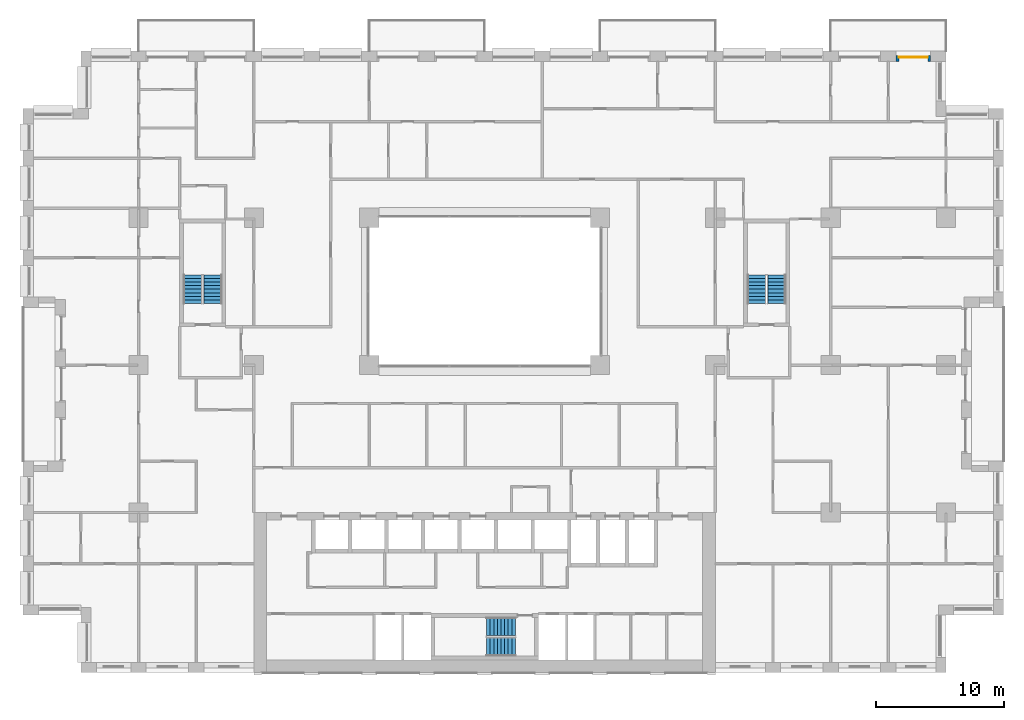
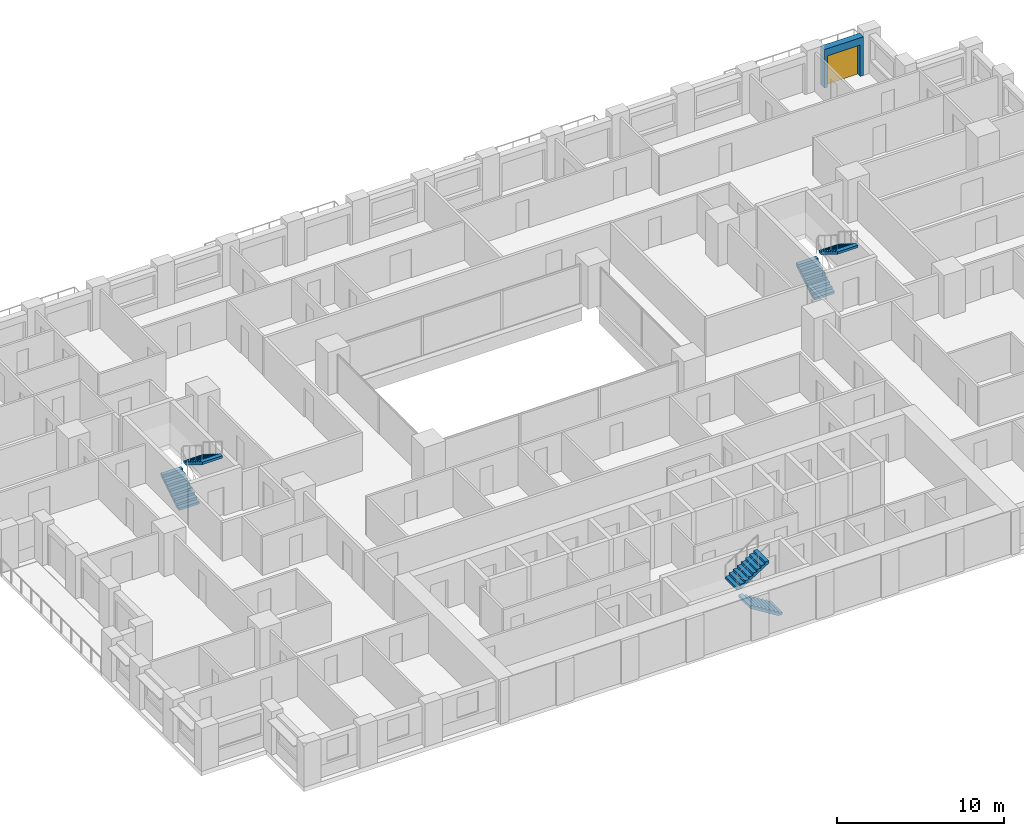
# One storey, part 18 of 20: 6 stair flights, 1 door, 1 wall, 1 opening, 3 elements without a shape of their own.
"""IFC4 building model written with IfcOpenShell, lengths in metres."""

from ifc_helpers import new_model, si_unit, direction, frame, frame_2d, origin, place, context, subcontext, project, spatial, polyline, rectangle, outline, extrude, material, layer, layer_set, type_object, element, fill, aggregate, save


model = new_model("IFC4")

# Units and contexts
model_context = context("Model", 3, precision=1e-05, world=origin(), true_north=direction((0.0, 1.0)))
body_context = subcontext(model_context, "Body", "Model", "MODEL_VIEW")
ifc_project = project(units=[si_unit("LENGTHUNIT", "METRE"), si_unit("AREAUNIT", "SQUARE_METRE"), si_unit("VOLUMEUNIT", "CUBIC_METRE"), si_unit("PLANEANGLEUNIT", "RADIAN"), si_unit("MASSUNIT", "GRAM", prefix="KILO")], contexts=[model_context])

# Site, building, storey
site_placement = place(None, origin())
site = spatial("IfcSite", under=ifc_project, at=site_placement, CompositionType="ELEMENT")
building_placement = place(site_placement, origin())
building = spatial("IfcBuilding", under=site, at=building_placement, Name="Brigalow Station Residences", CompositionType="ELEMENT")
storey_placement = place(building_placement, frame((0.0, 0.0, 60.449951171875)))
storey = spatial("IfcBuildingStorey", under=building, at=storey_placement, Name="L17", CompositionType="ELEMENT", Elevation=60.449951171875)

# Wall, opening, door
ifc_material_1 = material(Name="Clay brick masonry", Category="masonry")
ifc_layer = layer(ifc_material_1, 0.449951171875)
ifc_layer_set = layer_set([ifc_layer], Name="BRICK INFILL WALL 450")
wall_type = type_object("IfcWallType", Name="BRICK INFILL WALL 450", PredefinedType="SOLIDWALL", material=ifc_layer_set)
wall_placement = place(storey_placement, frame((70.800048828125, 47.925048828125, 0.0), z_axis=(0.0, 0.0, 1.0), x_axis=(-1.0, 0.0, 0.0)))
wall = element("IfcWall", 1, at=wall_placement, inside=storey, type_object=wall_type, Name="L17/ewall/W-L17-25", PredefinedType="SOLIDWALL", context=body_context, shape_type="SweptSolid", body=[
    extrude(rectangle(XDim=2.699951171875, YDim=0.449951171875, at=frame_2d((1.35009765625, 0.0))), origin(), (0.0, 0.0, 1.0), 2.830078125),
])
opening_placement = place(wall_placement, frame((0.22509765625, 0.0, 0.0)))
opening = element("IfcOpeningElement", 2, at=opening_placement, cuts=wall, Name="Opening D-B2250", PredefinedType="OPENING", context=body_context, shape_type="SweptSolid", body=[
    extrude(rectangle(XDim=2.25, YDim=2.300048828125, at=frame_2d((1.125, 1.14990234375))), frame((0.0, 0.23486328125, 0.0), z_axis=(0.0, -1.0, 0.0), x_axis=(1.0, 0.0, 0.0)), (0.0, 0.0, 1.0), 0.469970703125),
])
ifc_material_2 = material(Name="Anodised aluminium frame with double glazing", Category="aluminium")
door_type = type_object("IfcDoorType", Name="BALCONY SLIDING DOOR 2250x2300", OperationType="SLIDING_TO_LEFT", PredefinedType="DOOR", material=ifc_material_2)
door_placement = place(opening_placement, origin())
door = element("IfcDoor", 3, at=door_placement, inside=storey, type_object=door_type, Name="L17/balcony-door/W-L17-25", OperationType="SLIDING_TO_LEFT", OverallHeight=2.300048828125, OverallWidth=2.25, PredefinedType="DOOR", context=body_context, shape_type="SweptSolid", body=[
    extrude(rectangle(XDim=2.25, YDim=2.300048828125, at=frame_2d((1.125, 1.14990234375))), frame((0.0, -0.06982421875, 0.0), z_axis=(0.0, -1.0, 0.0), x_axis=(1.0, 0.0, 0.0)), (0.0, 0.0, 1.0), 0.050048828125),
])
fill(opening, door)

# Stair, stair flights
ifc_material_3 = material(Name="Concrete C50", Category="concrete")
stair_type = type_object("IfcStairType", Name="EXIT STAIR 1400 2 FLIGHT", PredefinedType="HALF_TURN_STAIR", material=ifc_material_3)
stair_1_placement = place(storey_placement, origin())
stair_1 = element("IfcStair", 4, at=stair_1_placement, inside=storey, type_object=stair_type, Name="EXIT STAIR S2 L17", PredefinedType="HALF_TURN_STAIR")
ifc_material_4 = material(Name="Concrete C50", Category="concrete")
stair_flight_type = type_object("IfcStairFlightType", Name="STAIR FLIGHT 1400", PredefinedType="STRAIGHT", material=ifc_material_4)
stair_flight_1_placement = place(storey_placement, frame((38.39990234375, 2.0, 0.0), z_axis=(0.0, 0.0, 1.0), x_axis=(-1.0, 0.0, 0.0)))
stair_flight_1 = element("IfcStairFlight", 5, at=stair_flight_1_placement, type_object=stair_flight_type, Name="ST-2 flight 1", NumberOfRisers=9, NumberOfTreads=8, PredefinedType="STRAIGHT", RiserHeight=0.175, TreadLength=0.28, context=body_context, shape_type="SweptSolid", body=[
    extrude(outline(polyline([(0.0, 0.0), (0.0, 0.175048828125), (0.280029296875, 0.175048828125), (0.280029296875, 0.35009765625), (0.56005859375, 0.35009765625), (0.56005859375, 0.52490234375), (0.840087890625, 0.52490234375), (0.840087890625, 0.699951171875), (1.1201171875, 0.699951171875), (1.1201171875, 0.875), (1.39990234375, 0.875), (1.39990234375, 1.050048828125), (1.679931640625, 1.050048828125), (1.679931640625, 1.22509765625), (1.9599609375, 1.22509765625), (1.9599609375, 1.39990234375), (2.239990234375, 1.39990234375), (2.239990234375, 1.574951171875), (2.239990234375, 1.22314453125), (0.28271484375, 0.0), (0.0, 0.0)])), frame((0.0, 0.699951171875, 0.0), z_axis=(0.0, -1.0, 0.0), x_axis=(1.0, 0.0, 0.0)), (0.0, 0.0, 1.0), 1.39990234375),
])
stair_flight_2_placement = place(storey_placement, frame((36.159912109375, 3.60009765625, 1.574951171875), z_axis=(0.0, 0.0, 1.0), x_axis=(1.0, 0.0, 0.0)))
stair_flight_2 = element("IfcStairFlight", 6, at=stair_flight_2_placement, type_object=stair_flight_type, Name="ST-2 flight 2", NumberOfRisers=9, NumberOfTreads=8, PredefinedType="STRAIGHT", RiserHeight=0.175, TreadLength=0.28, context=body_context, shape_type="SweptSolid", body=[
    extrude(outline(polyline([(0.0, 0.0), (0.0, 0.175048828125), (0.280029296875, 0.175048828125), (0.280029296875, 0.35009765625), (0.56005859375, 0.35009765625), (0.56005859375, 0.52490234375), (0.840087890625, 0.52490234375), (0.840087890625, 0.699951171875), (1.1201171875, 0.699951171875), (1.1201171875, 0.875), (1.39990234375, 0.875), (1.39990234375, 1.050048828125), (1.679931640625, 1.050048828125), (1.679931640625, 1.22509765625), (1.9599609375, 1.22509765625), (1.9599609375, 1.39990234375), (2.239990234375, 1.39990234375), (2.239990234375, 1.574951171875), (2.239990234375, 1.22314453125), (0.28271484375, 0.0), (0.0, 0.0)])), frame((0.0, 0.699951171875, 0.0), z_axis=(0.0, -1.0, 0.0), x_axis=(1.0, 0.0, 0.0)), (0.0, 0.0, 1.0), 1.39990234375),
])
aggregate(stair_1, [stair_flight_1, stair_flight_2])

stair_2_placement = place(storey_placement, origin())
stair_2 = element("IfcStair", 7, at=stair_2_placement, inside=storey, type_object=stair_type, Name="EXIT STAIR S1 L17", PredefinedType="HALF_TURN_STAIR")
stair_flight_3_placement = place(storey_placement, frame((13.199951171875, 28.800048828125, 0.0), z_axis=(0.0, 0.0, 1.0), x_axis=(0.0, 1.0, 0.0)))
stair_flight_3 = element("IfcStairFlight", 8, at=stair_flight_3_placement, type_object=stair_flight_type, Name="ST-1 flight 1", NumberOfRisers=9, NumberOfTreads=8, PredefinedType="STRAIGHT", RiserHeight=0.175, TreadLength=0.28, context=body_context, shape_type="SweptSolid", body=[
    extrude(outline(polyline([(0.0, 0.0), (0.0, 0.175048828125), (0.280029296875, 0.175048828125), (0.280029296875, 0.35009765625), (0.56005859375, 0.35009765625), (0.56005859375, 0.52490234375), (0.840087890625, 0.52490234375), (0.840087890625, 0.699951171875), (1.1201171875, 0.699951171875), (1.1201171875, 0.875), (1.39990234375, 0.875), (1.39990234375, 1.050048828125), (1.679931640625, 1.050048828125), (1.679931640625, 1.22509765625), (1.9599609375, 1.22509765625), (1.9599609375, 1.39990234375), (2.239990234375, 1.39990234375), (2.239990234375, 1.574951171875), (2.239990234375, 1.22314453125), (0.28271484375, 0.0), (0.0, 0.0)])), frame((0.0, 0.699951171875, 0.0), z_axis=(0.0, -1.0, 0.0), x_axis=(1.0, 0.0, 0.0)), (0.0, 0.0, 1.0), 1.39990234375),
])
stair_flight_4_placement = place(storey_placement, frame((14.800048828125, 31.0400390625, 1.574951171875), z_axis=(0.0, 0.0, 1.0), x_axis=(0.0, -1.0, 0.0)))
stair_flight_4 = element("IfcStairFlight", 9, at=stair_flight_4_placement, type_object=stair_flight_type, Name="ST-1 flight 2", NumberOfRisers=9, NumberOfTreads=8, PredefinedType="STRAIGHT", RiserHeight=0.175, TreadLength=0.28, context=body_context, shape_type="SweptSolid", body=[
    extrude(outline(polyline([(0.0, 0.0), (0.0, 0.175048828125), (0.280029296875, 0.175048828125), (0.280029296875, 0.35009765625), (0.56005859375, 0.35009765625), (0.56005859375, 0.52490234375), (0.840087890625, 0.52490234375), (0.840087890625, 0.699951171875), (1.1201171875, 0.699951171875), (1.1201171875, 0.875), (1.39990234375, 0.875), (1.39990234375, 1.050048828125), (1.679931640625, 1.050048828125), (1.679931640625, 1.22509765625), (1.9599609375, 1.22509765625), (1.9599609375, 1.39990234375), (2.239990234375, 1.39990234375), (2.239990234375, 1.574951171875), (2.239990234375, 1.22314453125), (0.28271484375, 0.0), (0.0, 0.0)])), frame((0.0, 0.699951171875, 0.0), z_axis=(0.0, -1.0, 0.0), x_axis=(1.0, 0.0, 0.0)), (0.0, 0.0, 1.0), 1.39990234375),
])
aggregate(stair_2, [stair_flight_3, stair_flight_4])

stair_3_placement = place(storey_placement, origin())
stair_3 = element("IfcStair", 10, at=stair_3_placement, inside=storey, type_object=stair_type, Name="EXIT STAIR S3 L17", PredefinedType="HALF_TURN_STAIR")
stair_flight_5_placement = place(storey_placement, frame((57.199951171875, 28.800048828125, 0.0), z_axis=(0.0, 0.0, 1.0), x_axis=(0.0, 1.0, 0.0)))
stair_flight_5 = element("IfcStairFlight", 11, at=stair_flight_5_placement, type_object=stair_flight_type, Name="ST-3 flight 1", NumberOfRisers=9, NumberOfTreads=8, PredefinedType="STRAIGHT", RiserHeight=0.175, TreadLength=0.28, context=body_context, shape_type="SweptSolid", body=[
    extrude(outline(polyline([(0.0, 0.0), (0.0, 0.175048828125), (0.280029296875, 0.175048828125), (0.280029296875, 0.35009765625), (0.56005859375, 0.35009765625), (0.56005859375, 0.52490234375), (0.840087890625, 0.52490234375), (0.840087890625, 0.699951171875), (1.1201171875, 0.699951171875), (1.1201171875, 0.875), (1.39990234375, 0.875), (1.39990234375, 1.050048828125), (1.679931640625, 1.050048828125), (1.679931640625, 1.22509765625), (1.9599609375, 1.22509765625), (1.9599609375, 1.39990234375), (2.239990234375, 1.39990234375), (2.239990234375, 1.574951171875), (2.239990234375, 1.22314453125), (0.28271484375, 0.0), (0.0, 0.0)])), frame((0.0, 0.699951171875, 0.0), z_axis=(0.0, -1.0, 0.0), x_axis=(1.0, 0.0, 0.0)), (0.0, 0.0, 1.0), 1.39990234375),
])
stair_flight_6_placement = place(storey_placement, frame((58.800048828125, 31.0400390625, 1.574951171875), z_axis=(0.0, 0.0, 1.0), x_axis=(0.0, -1.0, 0.0)))
stair_flight_6 = element("IfcStairFlight", 12, at=stair_flight_6_placement, type_object=stair_flight_type, Name="ST-3 flight 2", NumberOfRisers=9, NumberOfTreads=8, PredefinedType="STRAIGHT", RiserHeight=0.175, TreadLength=0.28, context=body_context, shape_type="SweptSolid", body=[
    extrude(outline(polyline([(0.0, 0.0), (0.0, 0.175048828125), (0.280029296875, 0.175048828125), (0.280029296875, 0.35009765625), (0.56005859375, 0.35009765625), (0.56005859375, 0.52490234375), (0.840087890625, 0.52490234375), (0.840087890625, 0.699951171875), (1.1201171875, 0.699951171875), (1.1201171875, 0.875), (1.39990234375, 0.875), (1.39990234375, 1.050048828125), (1.679931640625, 1.050048828125), (1.679931640625, 1.22509765625), (1.9599609375, 1.22509765625), (1.9599609375, 1.39990234375), (2.239990234375, 1.39990234375), (2.239990234375, 1.574951171875), (2.239990234375, 1.22314453125), (0.28271484375, 0.0), (0.0, 0.0)])), frame((0.0, 0.699951171875, 0.0), z_axis=(0.0, -1.0, 0.0), x_axis=(1.0, 0.0, 0.0)), (0.0, 0.0, 1.0), 1.39990234375),
])
aggregate(stair_3, [stair_flight_5, stair_flight_6])

save(model, "model.ifc")
